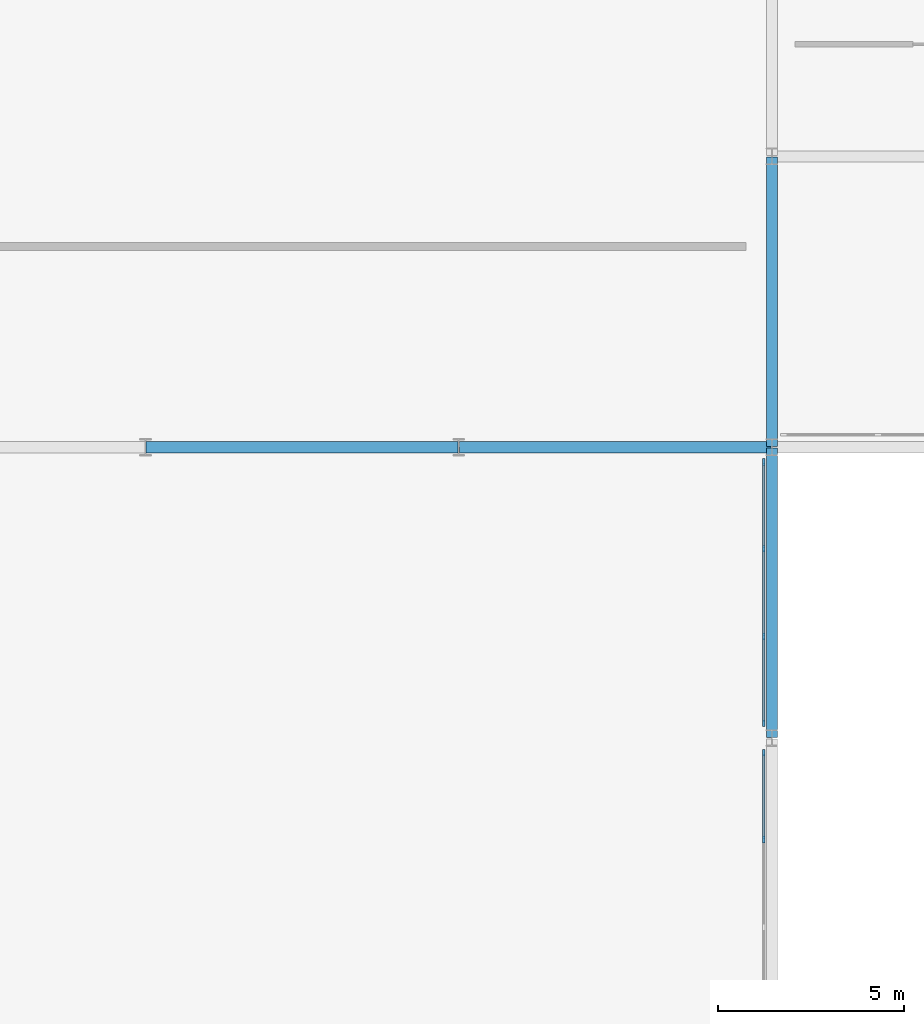
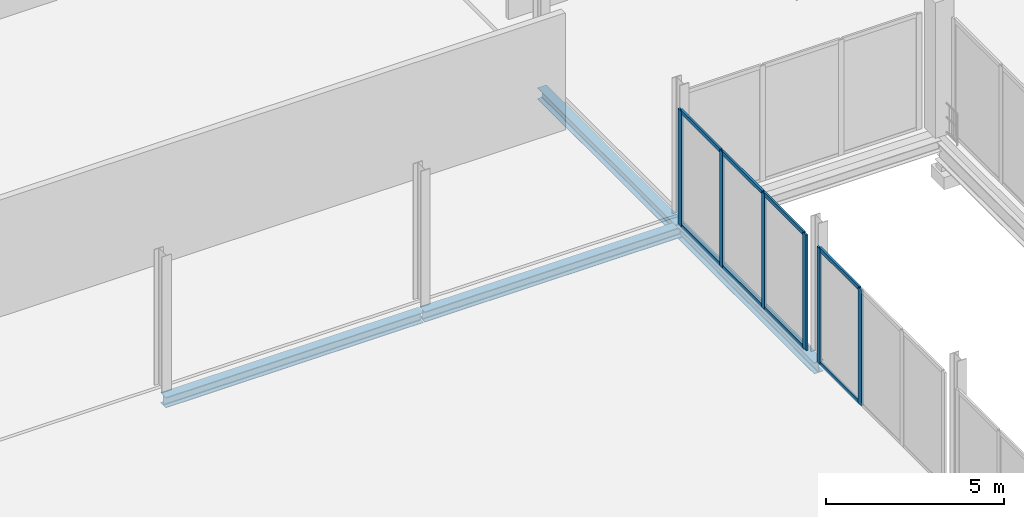
# One storey, part 36 of 98: 14 members, 4 beams, 2 elements without a shape of their own.
"""IFC4 building model written with IfcOpenShell, lengths in metres."""

from ifc_helpers import new_model, si_unit, direction, frame, origin, origin_2d, place, context, subcontext, project, spatial, rectangle, i_section, extrude, material, material_profile, profile_set, type_object, element, aggregate, save


model = new_model("IFC4")

# Units and contexts
model_context = context("Model", 3, precision=1e-05, world=origin(), true_north=direction((0.0, 1.0)))
body_context = subcontext(model_context, "Body", "Model", "MODEL_VIEW")
ifc_project = project(units=[si_unit("LENGTHUNIT", "METRE"), si_unit("AREAUNIT", "SQUARE_METRE"), si_unit("VOLUMEUNIT", "CUBIC_METRE"), si_unit("PLANEANGLEUNIT", "RADIAN"), si_unit("MASSUNIT", "GRAM", prefix="KILO")], contexts=[model_context])

# Site, building, storey
site_placement = place(None, origin())
site = spatial("IfcSite", under=ifc_project, at=site_placement, CompositionType="ELEMENT")
building_placement = place(site_placement, origin())
building = spatial("IfcBuilding", under=site, at=building_placement, Name="Nabrawat Pavilion Hospital", CompositionType="ELEMENT")
storey_placement = place(building_placement, frame((0.0, 0.0, 10.199951171875)))
storey = spatial("IfcBuildingStorey", under=building, at=storey_placement, Name="L02", CompositionType="ELEMENT", Elevation=10.199951171875)

# Curtain wall, members
ifc_material_1 = material(Name="Anodised Aluminium", Category="aluminium")
curtain_wall_type = type_object("IfcCurtainWallType", Name="Healing Garden Cloister Curtain Wall", PredefinedType="USERDEFINED", material=ifc_material_1)
curtain_wall_1_placement = place(storey_placement, origin())
curtain_wall_1 = element("IfcCurtainWall", 1, at=curtain_wall_1_placement, inside=storey, type_object=curtain_wall_type, Name="L02 Healing Garden Cloister Curtain Wall 112", ObjectType="CURTAIN WALL", PredefinedType="USERDEFINED")
ifc_material_profile_1 = material_profile(ifc_material_1, rectangle(XDim=0.06494140625, YDim=0.179931640625, at=origin_2d()), Name="CWM 65x180")
ifc_profile_set_1 = profile_set([ifc_material_profile_1], Name="Anodised Aluminium")
member_type_1 = type_object("IfcMemberType", Name="Healing Garden Cloister Curtain Wall Mullion CWM 65x180", PredefinedType="MULLION", material=ifc_profile_set_1)
member_1_placement = place(storey_placement, frame((58.580078125, 75.2783203125, 0.0), z_axis=(0.0, 0.0, 1.0), x_axis=(-1.0, 0.0, 0.0)))
member_1 = element("IfcMember", 2, at=member_1_placement, type_object=member_type_1, Name="CW-CLN-01 mullion 3", PredefinedType="MULLION", context=body_context, shape_type="SweptSolid", body=[
    extrude(rectangle(XDim=0.06494140625, YDim=0.179931640625, at=origin_2d()), origin(), (0.0, 0.0, 1.0), 3.969970703125),
])
member_2_placement = place(storey_placement, frame((58.580078125, 77.6025390625, 0.0), z_axis=(0.0, 0.0, 1.0), x_axis=(-1.0, 0.0, 0.0)))
member_2 = element("IfcMember", 3, at=member_2_placement, type_object=member_type_1, Name="CW-CLN-01 mullion 4", PredefinedType="MULLION", context=body_context, shape_type="SweptSolid", body=[
    extrude(rectangle(XDim=0.06494140625, YDim=0.179931640625, at=origin_2d()), origin(), (0.0, 0.0, 1.0), 3.969970703125),
])

curtain_wall_2_placement = place(storey_placement, origin())
curtain_wall_2 = element("IfcCurtainWall", 4, at=curtain_wall_2_placement, inside=storey, type_object=curtain_wall_type, Name="L02 Healing Garden Cloister Curtain Wall 113", ObjectType="CURTAIN WALL", PredefinedType="USERDEFINED")
member_3_placement = place(storey_placement, frame((58.580078125, 78.3974609375, 0.0), z_axis=(0.0, 0.0, 1.0), x_axis=(-1.0, 0.0, 0.0)))
member_3 = element("IfcMember", 5, at=member_3_placement, type_object=member_type_1, Name="CW-CLN-01 mullion 1", PredefinedType="MULLION", context=body_context, shape_type="SweptSolid", body=[
    extrude(rectangle(XDim=0.06494140625, YDim=0.179931640625, at=origin_2d()), origin(), (0.0, 0.0, 1.0), 3.969970703125),
])
member_4_placement = place(storey_placement, frame((58.580078125, 80.7216796875, 0.0), z_axis=(0.0, 0.0, 1.0), x_axis=(-1.0, 0.0, 0.0)))
member_4 = element("IfcMember", 6, at=member_4_placement, type_object=member_type_1, Name="CW-CLN-01 mullion 2", PredefinedType="MULLION", context=body_context, shape_type="SweptSolid", body=[
    extrude(rectangle(XDim=0.06494140625, YDim=0.179931640625, at=origin_2d()), origin(), (0.0, 0.0, 1.0), 3.969970703125),
])
member_5_placement = place(storey_placement, frame((58.580078125, 83.078369140625, 0.0), z_axis=(0.0, 0.0, 1.0), x_axis=(-1.0, 0.0, 0.0)))
member_5 = element("IfcMember", 7, at=member_5_placement, type_object=member_type_1, Name="CW-CLN-01 mullion 3", PredefinedType="MULLION", context=body_context, shape_type="SweptSolid", body=[
    extrude(rectangle(XDim=0.06494140625, YDim=0.179931640625, at=origin_2d()), origin(), (0.0, 0.0, 1.0), 3.969970703125),
])
member_6_placement = place(storey_placement, frame((58.580078125, 85.402587890625, 0.0), z_axis=(0.0, 0.0, 1.0), x_axis=(-1.0, 0.0, 0.0)))
member_6 = element("IfcMember", 8, at=member_6_placement, type_object=member_type_1, Name="CW-CLN-01 mullion 4", PredefinedType="MULLION", context=body_context, shape_type="SweptSolid", body=[
    extrude(rectangle(XDim=0.06494140625, YDim=0.179931640625, at=origin_2d()), origin(), (0.0, 0.0, 1.0), 3.969970703125),
])

# Member
ifc_material_profile_2 = material_profile(ifc_material_1, rectangle(XDim=0.06494140625, YDim=0.135009765625, at=origin_2d()), Name="CWT 65x135")
ifc_profile_set_2 = profile_set([ifc_material_profile_2], Name="Anodised Aluminium")
member_type_2 = type_object("IfcMemberType", Name="Healing Garden Cloister Curtain Wall Transom CWT 65x135", PredefinedType="USERDEFINED", material=ifc_profile_set_2)
member_7_placement = place(storey_placement, frame((58.580078125, 75.310791015625, 0.032470703125), z_axis=(0.0, 1.0, 0.0), x_axis=(-1.0, 0.0, 0.0)))
member_7 = element("IfcMember", 9, at=member_7_placement, type_object=member_type_2, Name="CW-CLN-01 transom 3.1", ObjectType="TRANSOM", PredefinedType="USERDEFINED", context=body_context, shape_type="SweptSolid", body=[
    extrude(rectangle(XDim=0.06494140625, YDim=0.135009765625, at=origin_2d()), origin(), (0.0, 0.0, 1.0), 2.25927734375),
])

member_8_placement = place(storey_placement, frame((58.580078125, 75.310791015625, 3.9375), z_axis=(0.0, 1.0, 0.0), x_axis=(-1.0, 0.0, 0.0)))
member_8 = element("IfcMember", 10, at=member_8_placement, type_object=member_type_2, Name="CW-CLN-01 transom 3.2", ObjectType="TRANSOM", PredefinedType="USERDEFINED", context=body_context, shape_type="SweptSolid", body=[
    extrude(rectangle(XDim=0.06494140625, YDim=0.135009765625, at=origin_2d()), origin(), (0.0, 0.0, 1.0), 2.25927734375),
])

aggregate(curtain_wall_1, [member_1, member_2, member_7, member_8])

member_9_placement = place(storey_placement, frame((58.580078125, 78.429931640625, 0.032470703125), z_axis=(0.0, 1.0, 0.0), x_axis=(-1.0, 0.0, 0.0)))
member_9 = element("IfcMember", 11, at=member_9_placement, type_object=member_type_2, Name="CW-CLN-01 transom 1.1", ObjectType="TRANSOM", PredefinedType="USERDEFINED", context=body_context, shape_type="SweptSolid", body=[
    extrude(rectangle(XDim=0.06494140625, YDim=0.135009765625, at=origin_2d()), origin(), (0.0, 0.0, 1.0), 2.25927734375),
])

member_10_placement = place(storey_placement, frame((58.580078125, 78.429931640625, 3.9375), z_axis=(0.0, 1.0, 0.0), x_axis=(-1.0, 0.0, 0.0)))
member_10 = element("IfcMember", 12, at=member_10_placement, type_object=member_type_2, Name="CW-CLN-01 transom 1.2", ObjectType="TRANSOM", PredefinedType="USERDEFINED", context=body_context, shape_type="SweptSolid", body=[
    extrude(rectangle(XDim=0.06494140625, YDim=0.135009765625, at=origin_2d()), origin(), (0.0, 0.0, 1.0), 2.25927734375),
])

member_11_placement = place(storey_placement, frame((58.580078125, 80.754150390625, 0.032470703125), z_axis=(0.0, 1.0, 0.0), x_axis=(-1.0, 0.0, 0.0)))
member_11 = element("IfcMember", 13, at=member_11_placement, type_object=member_type_2, Name="CW-CLN-01 transom 2.1", ObjectType="TRANSOM", PredefinedType="USERDEFINED", context=body_context, shape_type="SweptSolid", body=[
    extrude(rectangle(XDim=0.06494140625, YDim=0.135009765625, at=origin_2d()), origin(), (0.0, 0.0, 1.0), 2.291748046875),
])

member_12_placement = place(storey_placement, frame((58.580078125, 80.754150390625, 3.9375), z_axis=(0.0, 1.0, 0.0), x_axis=(-1.0, 0.0, 0.0)))
member_12 = element("IfcMember", 14, at=member_12_placement, type_object=member_type_2, Name="CW-CLN-01 transom 2.2", ObjectType="TRANSOM", PredefinedType="USERDEFINED", context=body_context, shape_type="SweptSolid", body=[
    extrude(rectangle(XDim=0.06494140625, YDim=0.135009765625, at=origin_2d()), origin(), (0.0, 0.0, 1.0), 2.291748046875),
])

member_13_placement = place(storey_placement, frame((58.580078125, 83.11083984375, 0.032470703125), z_axis=(0.0, 1.0, 0.0), x_axis=(-1.0, 0.0, 0.0)))
member_13 = element("IfcMember", 15, at=member_13_placement, type_object=member_type_2, Name="CW-CLN-01 transom 3.1", ObjectType="TRANSOM", PredefinedType="USERDEFINED", context=body_context, shape_type="SweptSolid", body=[
    extrude(rectangle(XDim=0.06494140625, YDim=0.135009765625, at=origin_2d()), origin(), (0.0, 0.0, 1.0), 2.25927734375),
])

member_14_placement = place(storey_placement, frame((58.580078125, 83.11083984375, 3.9375), z_axis=(0.0, 1.0, 0.0), x_axis=(-1.0, 0.0, 0.0)))
member_14 = element("IfcMember", 16, at=member_14_placement, type_object=member_type_2, Name="CW-CLN-01 transom 3.2", ObjectType="TRANSOM", PredefinedType="USERDEFINED", context=body_context, shape_type="SweptSolid", body=[
    extrude(rectangle(XDim=0.06494140625, YDim=0.135009765625, at=origin_2d()), origin(), (0.0, 0.0, 1.0), 2.25927734375),
])

aggregate(curtain_wall_2, [member_3, member_4, member_5, member_6, member_9, member_10, member_11, member_12, member_13, member_14])

# Beams
ifc_material_2 = material(Name="Steel S355", Category="steel")
ifc_material_profile_3 = material_profile(ifc_material_2, i_section(OverallWidth=0.300048828125, OverallDepth=0.389892578125, WebThickness=0.010986328125, FlangeThickness=0.01904296875, FilletRadius=0.027099609375, at=origin_2d()), Name="HEA 400")
ifc_profile_set_3 = profile_set([ifc_material_profile_3], Name="Steel S355")
beam_type_1 = type_object("IfcBeamType", Name="Perimeter Moment Spandrel Beam HEA 400", PredefinedType="SPANDREL", material=ifc_profile_set_3)
for number, where, z_axis, x_axis, name in (
    (17, (58.800048828125, 78.02001953125, -0.46484375), (0.0, 1.0, 0.0), (-1.0, 0.0, 0.0), "L02 Primary Y Beam 1230"),
    (18, (58.800048828125, 85.820068359375, -0.46484375), (0.0, 1.0, 0.0), (-1.0, 0.0, 0.0), "L02 Primary Y Beam 1231"),
):
    element("IfcBeam", number, at=place(storey_placement, frame(where, z_axis=z_axis, x_axis=x_axis)), inside=storey, type_object=beam_type_1, Name=name, PredefinedType="SPANDREL", context=body_context, shape_type="SweptSolid", body=[
        extrude(i_section(OverallWidth=0.300048828125, OverallDepth=0.389892578125, WebThickness=0.010986328125, FlangeThickness=0.01904296875, FilletRadius=0.027099609375, at=origin_2d()), origin(), (0.0, 0.0, 1.0), 7.760009765625),
    ])
ifc_material_profile_4 = material_profile(ifc_material_2, i_section(OverallWidth=0.300048828125, OverallDepth=0.360107421875, WebThickness=0.012451171875, FlangeThickness=0.0224609375, FilletRadius=0.027099609375, at=origin_2d()), Name="HEB 360")
ifc_profile_set_4 = profile_set([ifc_material_profile_4], Name="Steel S355")
beam_type_2 = type_object("IfcBeamType", Name="Surgical Perimeter Spandrel HEB 360", PredefinedType="SPANDREL", material=ifc_profile_set_4)
beam_1_placement = place(storey_placement, frame((42.02001953125, 85.800048828125, -0.449951171875), z_axis=(1.0, 0.0, 0.0), x_axis=(0.0, 1.0, 0.0)))
element("IfcBeam", 19, at=beam_1_placement, inside=storey, type_object=beam_type_2, Name="L02 Primary X Girder 1082", PredefinedType="SPANDREL", context=body_context, shape_type="SweptSolid", body=[
    extrude(i_section(OverallWidth=0.300048828125, OverallDepth=0.360107421875, WebThickness=0.012451171875, FlangeThickness=0.0224609375, FilletRadius=0.027099609375, at=origin_2d()), origin(), (0.0, 0.0, 1.0), 8.35986328125),
])
beam_2_placement = place(storey_placement, frame((50.419921875, 85.800048828125, -0.449951171875), z_axis=(1.0, 0.0, 0.0), x_axis=(0.0, 1.0, 0.0)))
element("IfcBeam", 20, at=beam_2_placement, inside=storey, type_object=beam_type_2, Name="L02 Primary X Girder 1083", PredefinedType="SPANDREL", context=body_context, shape_type="SweptSolid", body=[
    extrude(i_section(OverallWidth=0.300048828125, OverallDepth=0.360107421875, WebThickness=0.012451171875, FlangeThickness=0.0224609375, FilletRadius=0.027099609375, at=origin_2d()), origin(), (0.0, 0.0, 1.0), 8.360107421875),
])

save(model, "model.ifc")
